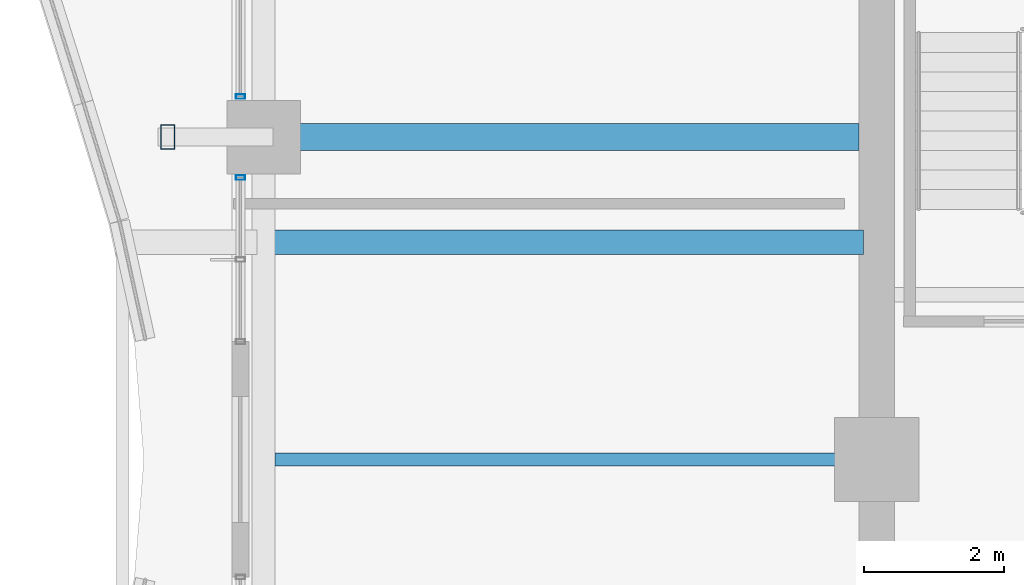
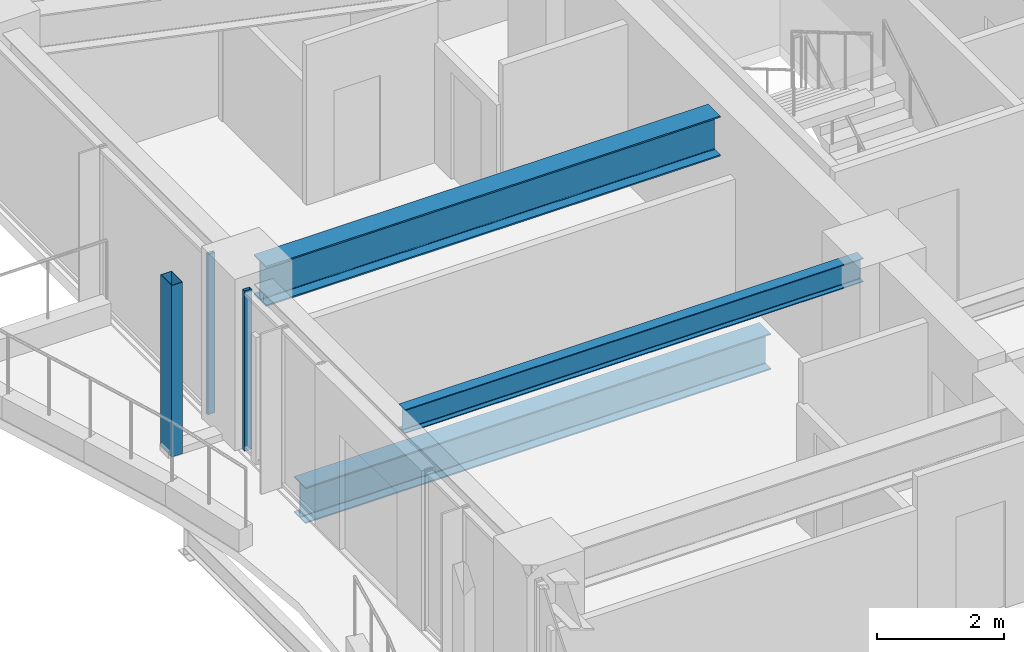
# One storey, part 10 of 35: 3 beams, 3 members, 2 elements without a shape of their own.
"""IFC4 building model written with IfcOpenShell, lengths in metres."""

from ifc_helpers import new_model, si_unit, direction, frame, origin, origin_2d, place, context, subcontext, project, spatial, hollow_rectangle, i_section, extrude, material, material_profile, profile_set, type_object, element, aggregate, save


model = new_model("IFC4")

# Units and contexts
model_context = context("Model", 3, precision=1e-05, world=origin(), true_north=direction((0.0, 1.0)))
body_context = subcontext(model_context, "Body", "Model", "MODEL_VIEW")
ifc_project = project(units=[si_unit("LENGTHUNIT", "METRE"), si_unit("AREAUNIT", "SQUARE_METRE"), si_unit("VOLUMEUNIT", "CUBIC_METRE"), si_unit("PLANEANGLEUNIT", "RADIAN"), si_unit("MASSUNIT", "GRAM", prefix="KILO")], contexts=[model_context])

# Site, building, storey
site_placement = place(None, origin())
site = spatial("IfcSite", under=ifc_project, at=site_placement, CompositionType="ELEMENT")
building_placement = place(site_placement, origin())
building = spatial("IfcBuilding", under=site, at=building_placement, Name="Kolvaren Belvedere", CompositionType="ELEMENT")
storey_placement = place(building_placement, frame((0.0, 0.0, 115.10009765625)))
storey = spatial("IfcBuildingStorey", under=building, at=storey_placement, Name="L33", CompositionType="ELEMENT", Elevation=115.10009765625)

# Beams
ifc_material_1 = material(Name="Structural steel ASTM A992 Grade 50", Category="steel")
ifc_material_profile_1 = material_profile(ifc_material_1, i_section(OverallWidth=0.35498046875, OverallDepth=0.696044921875, WebThickness=0.015380859375, FlangeThickness=0.02490234375, FilletRadius=0.02197265625, at=origin_2d()), Name="W27X146")
ifc_profile_set_1 = profile_set([ifc_material_profile_1], Name="Structural steel ASTM A992 Grade 50")
beam_type_1 = type_object("IfcBeamType", Name="BM-GIRD-W27X146", PredefinedType="BEAM", material=ifc_profile_set_1)
beam_1_placement = place(storey_placement, frame((-10.090087890625, 3.10009765625, -0.568115234375), z_axis=(-1.0, 0.0, 0.0), x_axis=(0.0, -1.0, 0.0)))
element("IfcBeam", 1, at=beam_1_placement, inside=storey, type_object=beam_type_1, Name="L33 Balcony Interior Back-Span Girder BAL-W-2", PredefinedType="BEAM", context=body_context, shape_type="SweptSolid", body=[
    extrude(i_section(OverallWidth=0.35498046875, OverallDepth=0.696044921875, WebThickness=0.015380859375, FlangeThickness=0.02490234375, FilletRadius=0.02197265625, at=origin_2d()), origin(), (0.0, 0.0, 1.0), 8.46484375),
])
ifc_material_2 = material(Name="Structural steel ASTM A992 Grade 50", Category="steel")
ifc_material_profile_2 = material_profile(ifc_material_2, i_section(OverallWidth=0.381103515625, OverallDepth=0.77294921875, WebThickness=0.0166015625, FlangeThickness=0.027099609375, FilletRadius=0.02392578125, at=origin_2d()), Name="W30X173")
ifc_profile_set_2 = profile_set([ifc_material_profile_2], Name="Structural steel ASTM A992 Grade 50")
beam_type_2 = type_object("IfcBeamType", Name="BM-GIRD-W30X173", PredefinedType="BEAM", material=ifc_profile_set_2)
beam_2_placement = place(storey_placement, frame((-10.14990234375, 4.60009765625, 2.693359375), z_axis=(-1.0, 0.0, 0.0), x_axis=(0.0, -1.0, 0.0)))
element("IfcBeam", 2, at=beam_2_placement, inside=storey, type_object=beam_type_2, Name="L33 West Radial Girder P", PredefinedType="BEAM", context=body_context, shape_type="SweptSolid", body=[
    extrude(i_section(OverallWidth=0.381103515625, OverallDepth=0.77294921875, WebThickness=0.0166015625, FlangeThickness=0.027099609375, FilletRadius=0.02392578125, at=origin_2d()), origin(), (0.0, 0.0, 1.0), 8.263916015625),
])
ifc_material_3 = material(Name="Structural steel ASTM A992 Grade 50", Category="steel")
ifc_material_profile_3 = material_profile(ifc_material_3, i_section(OverallWidth=0.19091796875, OverallDepth=0.4599609375, WebThickness=0.010009765625, FlangeThickness=0.01611328125, FilletRadius=0.014892578125, at=origin_2d()), Name="W18X55")
ifc_profile_set_3 = profile_set([ifc_material_profile_3], Name="Structural steel ASTM A992 Grade 50")
beam_type_3 = type_object("IfcBeamType", Name="BM-JOIST-W18X55", PredefinedType="BEAM", material=ifc_profile_set_3)
beam_3_placement = place(storey_placement, frame((-10.14990234375, 0.0, 2.849853515625), z_axis=(-1.0, 0.0, 0.0), x_axis=(0.0, -1.0, 0.0)))
element("IfcBeam", 3, at=beam_3_placement, inside=storey, type_object=beam_type_3, Name="L33 West Centre Floor Beam", PredefinedType="BEAM", context=body_context, shape_type="SweptSolid", body=[
    extrude(i_section(OverallWidth=0.19091796875, OverallDepth=0.4599609375, WebThickness=0.010009765625, FlangeThickness=0.01611328125, FilletRadius=0.014892578125, at=origin_2d()), origin(), (0.0, 0.0, 1.0), 8.337646484375),
])

# Curtain wall, member
ifc_material_4 = material(Name="Anodised pale-metal aluminium AA 6063-T6", Category="aluminium")
curtain_wall_type = type_object("IfcCurtainWallType", Name="CW-Z3-WAIST", PredefinedType="NOTDEFINED", material=ifc_material_4)
curtain_wall_1_placement = place(storey_placement, origin())
curtain_wall_1 = element("IfcCurtainWall", 4, at=curtain_wall_1_placement, inside=storey, type_object=curtain_wall_type, Name="L33 Unitised Curtain Wall FCW-L33-W2-B1", PredefinedType="NOTDEFINED")
ifc_material_5 = material(Name="Anodised pale-metal aluminium AA 6063-T6", Category="aluminium")
ifc_material_profile_4 = material_profile(ifc_material_5, hollow_rectangle(XDim=0.06494140625, YDim=0.1298828125, WallThickness=0.00390625, at=origin_2d()), Name="ALU-MUL-130X65")
ifc_profile_set_4 = profile_set([ifc_material_profile_4], Name="Anodised pale-metal aluminium AA 6063-T6")
member_type_1 = type_object("IfcMemberType", Name="CW-MUL-130", PredefinedType="MULLION", material=ifc_profile_set_4)
member_1_placement = place(storey_placement, frame((-18.97998046875, 4.0224609375, 0.0), z_axis=(0.0, 0.0, 1.0), x_axis=(0.0, 1.0, 0.0)))
member_1 = element("IfcMember", 5, at=member_1_placement, type_object=member_type_1, Name="FCW-L33-W2-B1 Unitised Mullion 3", PredefinedType="MULLION", context=body_context, shape_type="SweptSolid", body=[
    extrude(hollow_rectangle(XDim=0.06494140625, YDim=0.1298828125, WallThickness=0.00390625, at=origin_2d()), origin(), (0.0, 0.0, 1.0), 3.079833984375),
])
aggregate(curtain_wall_1, [member_1])

curtain_wall_2_placement = place(storey_placement, origin())
curtain_wall_2 = element("IfcCurtainWall", 6, at=curtain_wall_2_placement, inside=storey, type_object=curtain_wall_type, Name="L33 Unitised Curtain Wall FCW-L33-W2-B2", PredefinedType="NOTDEFINED")
member_2_placement = place(storey_placement, frame((-18.97998046875, 5.177490234375, 0.0), z_axis=(0.0, 0.0, 1.0), x_axis=(0.0, 1.0, 0.0)))
member_2 = element("IfcMember", 7, at=member_2_placement, type_object=member_type_1, Name="FCW-L33-W2-B2 Unitised Mullion 1", PredefinedType="MULLION", context=body_context, shape_type="SweptSolid", body=[
    extrude(hollow_rectangle(XDim=0.06494140625, YDim=0.1298828125, WallThickness=0.00390625, at=origin_2d()), origin(), (0.0, 0.0, 1.0), 3.079833984375),
])
aggregate(curtain_wall_2, [member_2])

# Member
ifc_material_6 = material(Name="Anodised pale-metal aluminium AA 6063-T6", Category="aluminium")
ifc_material_profile_5 = material_profile(ifc_material_6, hollow_rectangle(XDim=0.199951171875, YDim=0.35009765625, WallThickness=0.007568359375, at=origin_2d()), Name="ALU-PF-350X200")
ifc_profile_set_5 = profile_set([ifc_material_profile_5], Name="Anodised pale-metal aluminium AA 6063-T6")
member_type_2 = type_object("IfcMemberType", Name="PF-FRAME-350", PredefinedType="USERDEFINED", material=ifc_profile_set_5)
member_3_placement = place(storey_placement, frame((-20.02001953125, 4.60009765625, 0.0), z_axis=(0.0, 0.0, 1.0), x_axis=(1.0, 0.0, 0.0)))
element("IfcMember", 8, at=member_3_placement, inside=storey, type_object=member_type_2, Name="L33 Outboard Picture-Frame Vertical W2", ObjectType="PICTURE FRAME FIN", PredefinedType="USERDEFINED", context=body_context, shape_type="SweptSolid", body=[
    extrude(hollow_rectangle(XDim=0.199951171875, YDim=0.35009765625, WallThickness=0.007568359375, at=origin_2d()), origin(), (0.0, 0.0, 1.0), 3.2998046875),
])

save(model, "model.ifc")
